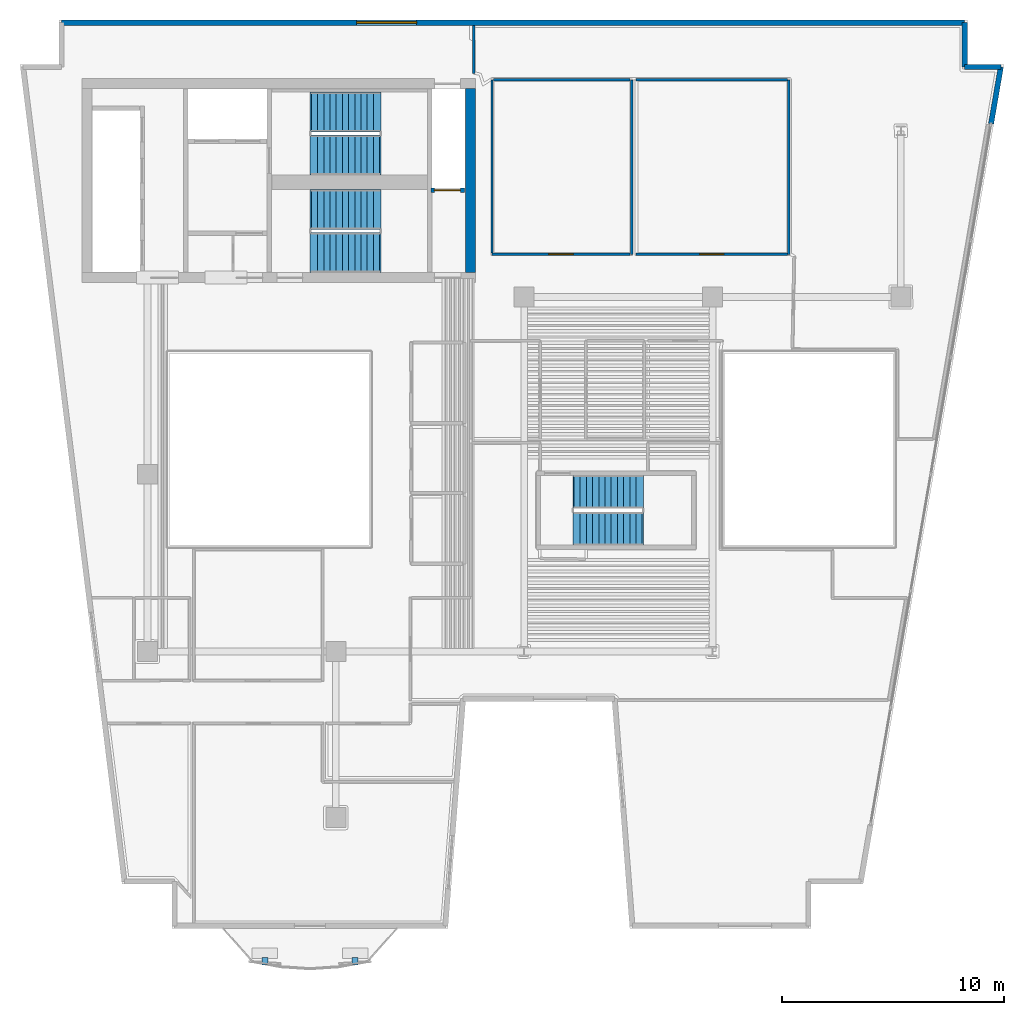
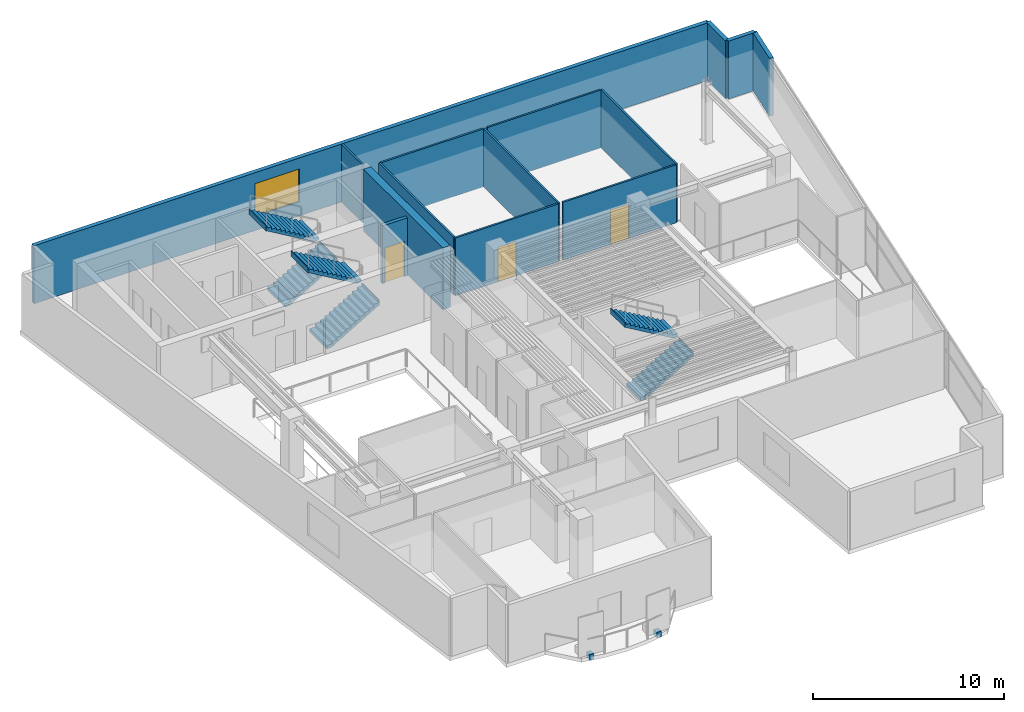
# One storey, part 6 of 9: 14 walls, 6 stair flights, 3 doors, 2 discrete accessories, 1 window, 4 openings, 3 elements without a shape of their own.
"""IFC4 building model written with IfcOpenShell, lengths in metres."""

from ifc_helpers import new_model, si_unit, direction, frame, frame_2d, origin, origin_2d, place, context, subcontext, project, spatial, polyline, rectangle, outline, extrude, material, layer, layer_set, type_object, element, fill, aggregate, save


model = new_model("IFC4")

# Units and contexts
model_context = context("Model", 3, precision=1e-05, world=origin(), true_north=direction((0.0, 1.0)))
body_context = subcontext(model_context, "Body", "Model", "MODEL_VIEW")
ifc_project = project(units=[si_unit("LENGTHUNIT", "METRE"), si_unit("AREAUNIT", "SQUARE_METRE"), si_unit("VOLUMEUNIT", "CUBIC_METRE"), si_unit("PLANEANGLEUNIT", "RADIAN"), si_unit("MASSUNIT", "GRAM", prefix="KILO")], contexts=[model_context])

# Site, building, storey
site_placement = place(None, origin())
site = spatial("IfcSite", under=ifc_project, at=site_placement, CompositionType="ELEMENT")
building_placement = place(site_placement, origin())
building = spatial("IfcBuilding", under=site, at=building_placement, Name="Caeloran Harvest Quay", CompositionType="ELEMENT")
storey_placement = place(building_placement, frame((0.0, 0.0, 227.199951171875)))
storey = spatial("IfcBuildingStorey", under=building, at=storey_placement, Name="L54", CompositionType="ELEMENT", Elevation=227.199951171875)

# Wall, opening, window
ifc_material_1 = material(Name="Precast concrete C50/60", Category="concrete")
ifc_layer_1 = layer(ifc_material_1, 0.239990234375, Name="Precast concrete C50/60")
ifc_layer_set_1 = layer_set([ifc_layer_1], Name="Precast concrete C50/60")
wall_type_1 = type_object("IfcWallType", Name="ENV-WALL-EW-240", PredefinedType="STANDARD", material=ifc_layer_set_1)
wall_1_placement = place(storey_placement, frame((4.6201171875, 43.3798828125, 0.0), z_axis=(0.0, 0.0, 1.0), x_axis=(1.0, 0.0, 0.0)))
wall_1 = element("IfcWall", 1, at=wall_1_placement, inside=storey, type_object=wall_type_1, Name="L54 Exterior Precast Concrete Facade Wall 6", PredefinedType="STANDARD", context=body_context, shape_type="SweptSolid", body=[
    extrude(rectangle(XDim=40.759765625, YDim=0.239990234375, at=frame_2d((20.3798828125, 0.0))), origin(), (0.0, 0.0, 1.0), 3.699951171875),
])
opening_1_placement = place(wall_1_placement, frame((13.323974609375, 0.0, 0.89990234375)))
opening_1 = element("IfcOpeningElement", 2, at=opening_1_placement, cuts=wall_1, Name="Opening W-07", PredefinedType="OPENING", context=body_context, shape_type="SweptSolid", body=[
    extrude(rectangle(XDim=2.699951171875, YDim=2.10009765625, at=frame_2d((1.35009765625, 1.050048828125))), frame((0.0, 0.1298828125, 0.0), z_axis=(0.0, -1.0, 0.0), x_axis=(1.0, 0.0, 0.0)), (0.0, 0.0, 1.0), 0.260009765625),
])
ifc_material_2 = material(Name="Aluminium-Framed Low-E Laminated Glass", Category="aluminium")
window_type = type_object("IfcWindowType", Name="WIN-W-07", PartitioningType="DOUBLE_PANEL_VERTICAL", PredefinedType="WINDOW", material=ifc_material_2)
window_placement = place(opening_1_placement, origin())
window = element("IfcWindow", 3, at=window_placement, inside=storey, type_object=window_type, Name="L54 Facade Punched Window W-07", OverallHeight=2.10009765625, OverallWidth=2.699951171875, PartitioningType="DOUBLE_PANEL_VERTICAL", PredefinedType="WINDOW", context=body_context, shape_type="SweptSolid", body=[
    extrude(rectangle(XDim=2.699951171875, YDim=2.10009765625, at=frame_2d((1.35009765625, 1.050048828125))), frame((0.0, 0.030029296875, 0.0), z_axis=(0.0, -1.0, 0.0), x_axis=(1.0, 0.0, 0.0)), (0.0, 0.0, 1.0), 0.06005859375),
])
fill(opening_1, window)

# Walls
wall_2_placement = place(storey_placement, frame((45.3798828125, 43.3798828125, 0.0), z_axis=(0.0, 0.0, 1.0), x_axis=(0.0, -1.0, 0.0)))
element("IfcWall", 4, at=wall_2_placement, inside=storey, type_object=wall_type_1, Name="L54 Exterior Precast Concrete Facade Wall 7", PredefinedType="STANDARD", context=body_context, shape_type="SweptSolid", body=[
    extrude(rectangle(XDim=2.0, YDim=0.239990234375, at=frame_2d((1.0, 0.0))), origin(), (0.0, 0.0, 1.0), 3.699951171875),
])
wall_3_placement = place(storey_placement, frame((45.3798828125, 41.3798828125, 0.0), z_axis=(0.0, 0.0, 1.0), x_axis=(1.0, 0.0, 0.0)))
element("IfcWall", 5, at=wall_3_placement, inside=storey, type_object=wall_type_1, Name="L54 Exterior Precast Concrete Facade Wall 8", PredefinedType="STANDARD", context=body_context, shape_type="SweptSolid", body=[
    extrude(rectangle(XDim=1.634033203125, YDim=0.239990234375, at=frame_2d((0.81689453125, 0.0))), origin(), (0.0, 0.0, 1.0), 3.699951171875),
])
wall_4_placement = place(storey_placement, frame((47.013916015625, 41.3798828125, 0.0), z_axis=(0.0, 0.0, 1.0), x_axis=(-0.169406892601, -0.985546196147, 0.0)))
element("IfcWall", 6, at=wall_4_placement, inside=storey, type_object=wall_type_1, Name="L54 Exterior Facade Corner Pier Wall 9A", PredefinedType="STANDARD", context=body_context, shape_type="SweptSolid", body=[
    extrude(rectangle(XDim=2.599853515625, YDim=0.239990234375, at=frame_2d((1.2998046875, 0.0))), origin(), (0.0, 0.0, 1.0), 3.699951171875),
])
ifc_material_3 = material(Name="Single-Stud Acoustic Gypsum Office Partition", Category="gypsum")
ifc_layer_2 = layer(ifc_material_3, 0.112060546875, Name="Single-Stud Acoustic Gypsum Office Partition")
ifc_layer_set_2 = layer_set([ifc_layer_2], Name="Single-Stud Acoustic Gypsum Office Partition")
wall_type_2 = type_object("IfcWallType", Name="INT-WALL-PW-112", PredefinedType="PARTITIONING", material=ifc_layer_set_2)
wall_5_placement = place(storey_placement, frame((30.35009765625, 40.800048828125, 0.0), z_axis=(0.0, 0.0, 1.0), x_axis=(0.0, -1.0, 0.0)))
element("IfcWall", 7, at=wall_5_placement, inside=storey, type_object=wall_type_2, Name="L54 Bioinformatics and Crop Phenotyping Laboratory Partition Wall", PredefinedType="PARTITIONING", context=body_context, shape_type="SweptSolid", body=[
    extrude(rectangle(XDim=7.880126953125, YDim=0.112060546875, at=frame_2d((3.93994140625, 0.0))), origin(), (0.0, 0.0, 1.0), 3.699951171875),
])

# Wall, opening, door
wall_6_placement = place(storey_placement, frame((30.2890625, 32.919921875, 0.0), z_axis=(0.0, 0.0, 1.0), x_axis=(-1.0, 0.0, 0.0)))
wall_6 = element("IfcWall", 8, at=wall_6_placement, inside=storey, type_object=wall_type_2, Name="L54 Bioinformatics and Crop Phenotyping Laboratory Partition Wall", PredefinedType="PARTITIONING", context=body_context, shape_type="SweptSolid", body=[
    extrude(rectangle(XDim=6.239013671875, YDim=0.112060546875, at=frame_2d((3.11962890625, 0.0))), origin(), (0.0, 0.0, 1.0), 3.699951171875),
])
opening_2_placement = place(wall_6_placement, frame((2.569580078125, 0.0, 0.0)))
opening_2 = element("IfcOpeningElement", 9, at=opening_2_placement, cuts=wall_6, Name="Opening ID-04", PredefinedType="OPENING", context=body_context, shape_type="SweptSolid", body=[
    extrude(rectangle(XDim=1.10009765625, YDim=2.199951171875, at=frame_2d((0.550048828125, 1.10009765625))), frame((0.0, 0.06591796875, 0.0), z_axis=(0.0, -1.0, 0.0), x_axis=(1.0, 0.0, 0.0)), (0.0, 0.0, 1.0), 0.132080078125),
])
ifc_material_4 = material(Name="Acoustic Walnut Veneer Executive Door", Category="wood")
door_type_1 = type_object("IfcDoorType", Name="INTDOOR-ID-04", OperationType="NOTDEFINED", PredefinedType="DOOR", material=ifc_material_4)
door_1_placement = place(opening_2_placement, origin())
door_1 = element("IfcDoor", 10, at=door_1_placement, inside=storey, type_object=door_type_1, Name="L54 Bioinformatics and Crop Phenotyping Laboratory Access Door", OperationType="SINGLE_SWING_LEFT", OverallHeight=2.199951171875, OverallWidth=1.10009765625, PredefinedType="DOOR", context=body_context, shape_type="SweptSolid", body=[
    extrude(rectangle(XDim=1.10009765625, YDim=2.199951171875, at=frame_2d((0.550048828125, 1.10009765625))), frame((0.0, 0.02490234375, 0.0), z_axis=(0.0, -1.0, 0.0), x_axis=(1.0, 0.0, 0.0)), (0.0, 0.0, 1.0), 0.050048828125),
])
fill(opening_2, door_1)

# Walls
wall_7_placement = place(storey_placement, frame((24.050048828125, 32.98095703125, 0.0), z_axis=(0.0, 0.0, 1.0), x_axis=(0.0, 1.0, 0.0)))
element("IfcWall", 11, at=wall_7_placement, inside=storey, type_object=wall_type_2, Name="L54 Bioinformatics and Crop Phenotyping Laboratory Partition Wall", PredefinedType="PARTITIONING", context=body_context, shape_type="SweptSolid", body=[
    extrude(rectangle(XDim=7.819091796875, YDim=0.112060546875, at=frame_2d((3.90966796875, 0.0))), origin(), (0.0, 0.0, 1.0), 3.699951171875),
])
wall_8_placement = place(storey_placement, frame((24.111083984375, 40.800048828125, 0.0), z_axis=(0.0, 0.0, 1.0), x_axis=(1.0, 0.0, 0.0)))
element("IfcWall", 12, at=wall_8_placement, inside=storey, type_object=wall_type_2, Name="L54 Bioinformatics and Crop Phenotyping Laboratory Partition Wall", PredefinedType="PARTITIONING", context=body_context, shape_type="SweptSolid", body=[
    extrude(rectangle(XDim=6.177978515625, YDim=0.112060546875, at=frame_2d((3.0888671875, 0.0))), origin(), (0.0, 0.0, 1.0), 3.699951171875),
])
wall_9_placement = place(storey_placement, frame((37.449951171875, 40.800048828125, 0.0), z_axis=(0.0, 0.0, 1.0), x_axis=(0.0, -1.0, 0.0)))
element("IfcWall", 13, at=wall_9_placement, inside=storey, type_object=wall_type_2, Name="L54 Agri-Genomics Executive Strategy Boardroom Partition Wall", PredefinedType="PARTITIONING", context=body_context, shape_type="SweptSolid", body=[
    extrude(rectangle(XDim=7.880126953125, YDim=0.112060546875, at=frame_2d((3.93994140625, 0.0))), origin(), (0.0, 0.0, 1.0), 3.699951171875),
])

# Wall, opening, door
wall_10_placement = place(storey_placement, frame((37.388916015625, 32.919921875, 0.0), z_axis=(0.0, 0.0, 1.0), x_axis=(-1.0, 0.0, 0.0)))
wall_10 = element("IfcWall", 14, at=wall_10_placement, inside=storey, type_object=wall_type_2, Name="L54 Agri-Genomics Executive Strategy Boardroom Partition Wall", PredefinedType="PARTITIONING", context=body_context, shape_type="SweptSolid", body=[
    extrude(rectangle(XDim=6.8388671875, YDim=0.112060546875, at=frame_2d((3.41943359375, 0.0))), origin(), (0.0, 0.0, 1.0), 3.699951171875),
])
opening_3_placement = place(wall_10_placement, frame((2.869384765625, 0.0, 0.0)))
opening_3 = element("IfcOpeningElement", 15, at=opening_3_placement, cuts=wall_10, Name="Opening ID-04", PredefinedType="OPENING", context=body_context, shape_type="SweptSolid", body=[
    extrude(rectangle(XDim=1.10009765625, YDim=2.199951171875, at=frame_2d((0.550048828125, 1.10009765625))), frame((0.0, 0.06591796875, 0.0), z_axis=(0.0, -1.0, 0.0), x_axis=(1.0, 0.0, 0.0)), (0.0, 0.0, 1.0), 0.132080078125),
])
door_2_placement = place(opening_3_placement, origin())
door_2 = element("IfcDoor", 16, at=door_2_placement, inside=storey, type_object=door_type_1, Name="L54 Agri-Genomics Executive Strategy Boardroom Access Door", OperationType="SINGLE_SWING_RIGHT", OverallHeight=2.199951171875, OverallWidth=1.10009765625, PredefinedType="DOOR", context=body_context, shape_type="SweptSolid", body=[
    extrude(rectangle(XDim=1.10009765625, YDim=2.199951171875, at=frame_2d((0.550048828125, 1.10009765625))), frame((0.0, 0.02490234375, 0.0), z_axis=(0.0, -1.0, 0.0), x_axis=(1.0, 0.0, 0.0)), (0.0, 0.0, 1.0), 0.050048828125),
])
fill(opening_3, door_2)

# Walls
wall_11_placement = place(storey_placement, frame((30.550048828125, 40.800048828125, 0.0), z_axis=(0.0, 0.0, 1.0), x_axis=(1.0, 0.0, 0.0)))
element("IfcWall", 17, at=wall_11_placement, inside=storey, type_object=wall_type_2, Name="L54 Agri-Genomics Executive Strategy Boardroom Partition Wall", PredefinedType="PARTITIONING", context=body_context, shape_type="SweptSolid", body=[
    extrude(rectangle(XDim=6.8388671875, YDim=0.112060546875, at=frame_2d((3.41943359375, 0.0))), origin(), (0.0, 0.0, 1.0), 3.699951171875),
])
wall_12_placement = place(storey_placement, frame((23.22998046875, 41.093017578125, 0.0), z_axis=(0.0, 0.0, 1.0), x_axis=(0.0, 1.0, 0.0)))
element("IfcWall", 18, at=wall_12_placement, inside=storey, type_object=wall_type_2, Name="Portfolio Catering Kitchen 10 Partition Wall", PredefinedType="PARTITIONING", context=body_context, shape_type="SweptSolid", body=[
    extrude(rectangle(XDim=2.161865234375, YDim=0.112060546875, at=frame_2d((1.0810546875, 0.0))), origin(), (0.0, 0.0, 1.0), 3.699951171875),
])

# Wall, opening, door
ifc_material_5 = material(Name="Concrete C50/60", Category="concrete")
ifc_layer_3 = layer(ifc_material_5, 0.199951171875, Name="Concrete C50/60")
ifc_layer_set_3 = layer_set([ifc_layer_3], Name="Concrete C50/60")
wall_type_3 = type_object("IfcWallType", Name="INT-WALL-SW-200", PredefinedType="PARTITIONING", material=ifc_layer_set_3)
wall_13_placement = place(storey_placement, frame((21.300048828125, 35.820068359375, 0.0), z_axis=(0.0, 0.0, 1.0), x_axis=(1.0, 0.0, 0.0)))
wall_13 = element("IfcWall", 19, at=wall_13_placement, inside=storey, type_object=wall_type_3, Name="L54 Service Lift SV-2 Shaft Wall", PredefinedType="PARTITIONING", context=body_context, shape_type="SweptSolid", body=[
    extrude(rectangle(XDim=1.5, YDim=0.199951171875, at=frame_2d((0.75, 0.0))), origin(), (0.0, 0.0, 1.0), 3.699951171875),
])
opening_4_placement = place(wall_13_placement, frame((0.14501953125, 0.0, 0.0)))
opening_4 = element("IfcOpeningElement", 20, at=opening_4_placement, cuts=wall_13, Name="Opening LD-02", PredefinedType="OPENING", context=body_context, shape_type="SweptSolid", body=[
    extrude(rectangle(XDim=1.179931640625, YDim=2.25, at=frame_2d((0.58984375, 1.125))), frame((0.0, 0.10986328125, 0.0), z_axis=(0.0, -1.0, 0.0), x_axis=(1.0, 0.0, 0.0)), (0.0, 0.0, 1.0), 0.219970703125),
])
ifc_material_6 = material(Name="Stainless Steel Grade 316", Category="steel")
door_type_2 = type_object("IfcDoorType", Name="INTDOOR-LD-02", OperationType="NOTDEFINED", PredefinedType="DOOR", material=ifc_material_6)
door_3_placement = place(opening_4_placement, origin())
door_3 = element("IfcDoor", 21, at=door_3_placement, inside=storey, type_object=door_type_2, Name="Lift SV-2 Sliding Landing Door (L54)", OperationType="DOUBLE_DOOR_SLIDING", OverallHeight=2.25, OverallWidth=1.179931640625, PredefinedType="DOOR", context=body_context, shape_type="SweptSolid", body=[
    extrude(rectangle(XDim=1.179931640625, YDim=2.25, at=frame_2d((0.58984375, 1.125))), frame((0.0, 0.02490234375, 0.0), z_axis=(0.0, -1.0, 0.0), x_axis=(1.0, 0.0, 0.0)), (0.0, 0.0, 1.0), 0.050048828125),
])
fill(opening_4, door_3)

# Wall
ifc_material_7 = material(Name="Concrete C60/75", Category="concrete")
ifc_layer_4 = layer(ifc_material_7, 0.449951171875, Name="Concrete C60/75")
ifc_layer_set_4 = layer_set([ifc_layer_4], Name="Concrete C60/75")
wall_type_4 = type_object("IfcWallType", Name="STR-WALL-CW-450", PredefinedType="SHEAR", material=ifc_layer_set_4)
wall_14_placement = place(storey_placement, frame((23.074951171875, 32.10009765625, 0.0), z_axis=(0.0, 0.0, 1.0), x_axis=(0.0, 1.0, 0.0)))
element("IfcWall", 22, at=wall_14_placement, inside=storey, type_object=wall_type_4, Name="L54 Rear Core Shear Wall E", PredefinedType="SHEAR", context=body_context, shape_type="SweptSolid", body=[
    extrude(rectangle(XDim=8.2998046875, YDim=0.449951171875, at=frame_2d((4.14990234375, 0.0))), origin(), (0.0, 0.0, 1.0), 3.949951171875),
])

# Stair, stair flights
stair_type_1 = type_object("IfcStairType", Name="STAIR-STC-180", PredefinedType="HALF_TURN_STAIR", material=ifc_material_5)
stair_1_placement = place(storey_placement, origin())
stair_1 = element("IfcStair", 23, at=stair_1_placement, inside=storey, type_object=stair_type_1, Name="L54 Core Pressurized Exit Stair ST-C1", PredefinedType="HALF_TURN_STAIR")
stair_flight_type_1 = type_object("IfcStairFlightType", Name="FLIGHT-STC-180", PredefinedType="STRAIGHT", material=ifc_material_5)
stair_flight_1_placement = place(storey_placement, frame((15.89990234375, 37.39990234375, 0.0), z_axis=(0.0, 0.0, 1.0), x_axis=(1.0, 0.0, 0.0)))
stair_flight_1 = element("IfcStairFlight", 24, at=stair_flight_1_placement, type_object=stair_flight_type_1, Name="ST-C1 flight 1", NumberOfRisers=12, NumberOfTreads=11, PredefinedType="STRAIGHT", RiserHeight=0.164583333, TreadLength=0.28, context=body_context, shape_type="SweptSolid", body=[
    extrude(outline(polyline([(-0.054931640625, -0.044921875), (-0.054931640625, -0.031982421875), (-0.054931640625, -0.018798828125), (-0.054931640625, -0.005615234375), (-0.054931640625, 0.00732421875), (-0.054931640625, 0.0205078125), (-0.054931640625, 0.03369140625), (-0.054931640625, 0.046630859375), (-0.054931640625, 0.059814453125), (-0.054931640625, 0.072998046875), (-0.054931640625, 0.0859375), (-0.054931640625, 0.09912109375), (-0.054931640625, 0.1123046875), (-0.054931640625, 0.125244140625), (-0.054931640625, 0.138427734375), (-0.054931640625, 0.1513671875), (-0.054931640625, 0.16455078125), (0.280029296875, 0.16455078125), (0.280029296875, 0.3291015625), (0.56005859375, 0.3291015625), (0.56005859375, 0.49365234375), (0.840087890625, 0.49365234375), (0.840087890625, 0.658447265625), (1.1201171875, 0.658447265625), (1.1201171875, 0.822998046875), (1.39990234375, 0.822998046875), (1.39990234375, 0.987548828125), (1.679931640625, 0.987548828125), (1.679931640625, 1.152099609375), (1.9599609375, 1.152099609375), (1.9599609375, 1.316650390625), (2.239990234375, 1.316650390625), (2.239990234375, 1.481201171875), (2.52001953125, 1.481201171875), (2.52001953125, 1.645751953125), (2.800048828125, 1.645751953125), (2.800048828125, 1.810302734375), (3.080078125, 1.810302734375), (3.080078125, 1.97509765625), (3.135009765625, 1.97509765625), (3.135009765625, 1.953857421875), (3.135009765625, 1.9326171875), (3.135009765625, 1.91162109375), (3.135009765625, 1.890380859375), (3.135009765625, 1.869140625), (3.135009765625, 1.84814453125), (3.135009765625, 1.826904296875), (3.135009765625, 1.8056640625), (3.135009765625, 1.78466796875), (3.135009765625, 1.763427734375), (3.135009765625, 1.7421875), (3.135009765625, 1.72119140625), (3.135009765625, 1.699951171875), (3.135009765625, 1.678955078125), (3.135009765625, 1.65771484375), (3.135009765625, 1.636474609375), (3.080078125, 1.636474609375), (0.21923828125, -0.044921875), (-0.054931640625, -0.044921875)])), frame((0.0, 0.89990234375, 0.0), z_axis=(0.0, -1.0, 0.0), x_axis=(1.0, 0.0, 0.0)), (0.0, 0.0, 1.0), 1.800048828125),
])
stair_flight_2_placement = place(storey_placement, frame((18.97998046875, 39.35009765625, 1.97509765625), z_axis=(0.0, 0.0, 1.0), x_axis=(-1.0, 0.0, 0.0)))
stair_flight_2 = element("IfcStairFlight", 25, at=stair_flight_2_placement, type_object=stair_flight_type_1, Name="ST-C1 flight 2", NumberOfRisers=12, NumberOfTreads=11, PredefinedType="STRAIGHT", RiserHeight=0.164583333, TreadLength=0.28, context=body_context, shape_type="SweptSolid", body=[
    extrude(outline(polyline([(-0.054931640625, -0.044921875), (-0.054931640625, -0.031982421875), (-0.054931640625, -0.018798828125), (-0.054931640625, -0.005615234375), (-0.054931640625, 0.00732421875), (-0.054931640625, 0.0205078125), (-0.054931640625, 0.03369140625), (-0.054931640625, 0.046630859375), (-0.054931640625, 0.059814453125), (-0.054931640625, 0.072998046875), (-0.054931640625, 0.0859375), (-0.054931640625, 0.09912109375), (-0.054931640625, 0.1123046875), (-0.054931640625, 0.125244140625), (-0.054931640625, 0.138427734375), (-0.054931640625, 0.1513671875), (-0.054931640625, 0.16455078125), (0.280029296875, 0.16455078125), (0.280029296875, 0.3291015625), (0.56005859375, 0.3291015625), (0.56005859375, 0.49365234375), (0.840087890625, 0.49365234375), (0.840087890625, 0.658447265625), (1.1201171875, 0.658447265625), (1.1201171875, 0.822998046875), (1.39990234375, 0.822998046875), (1.39990234375, 0.987548828125), (1.679931640625, 0.987548828125), (1.679931640625, 1.152099609375), (1.9599609375, 1.152099609375), (1.9599609375, 1.316650390625), (2.239990234375, 1.316650390625), (2.239990234375, 1.481201171875), (2.52001953125, 1.481201171875), (2.52001953125, 1.645751953125), (2.800048828125, 1.645751953125), (2.800048828125, 1.810302734375), (3.080078125, 1.810302734375), (3.080078125, 1.97509765625), (3.135009765625, 1.97509765625), (3.135009765625, 1.953857421875), (3.135009765625, 1.9326171875), (3.135009765625, 1.91162109375), (3.135009765625, 1.890380859375), (3.135009765625, 1.869140625), (3.135009765625, 1.84814453125), (3.135009765625, 1.826904296875), (3.135009765625, 1.8056640625), (3.135009765625, 1.78466796875), (3.135009765625, 1.763427734375), (3.135009765625, 1.7421875), (3.135009765625, 1.72119140625), (3.135009765625, 1.699951171875), (3.135009765625, 1.678955078125), (3.135009765625, 1.65771484375), (3.135009765625, 1.636474609375), (3.080078125, 1.636474609375), (0.21923828125, -0.044921875), (-0.054931640625, -0.044921875)])), frame((0.0, 0.89990234375, 0.0), z_axis=(0.0, -1.0, 0.0), x_axis=(1.0, 0.0, 0.0)), (0.0, 0.0, 1.0), 1.800048828125),
])
aggregate(stair_1, [stair_flight_1, stair_flight_2])

stair_2_placement = place(storey_placement, origin())
stair_2 = element("IfcStair", 26, at=stair_2_placement, inside=storey, type_object=stair_type_1, Name="L54 Core Pressurized Exit Stair ST-C2", PredefinedType="HALF_TURN_STAIR")
stair_flight_3_placement = place(storey_placement, frame((15.89990234375, 33.0, 0.0), z_axis=(0.0, 0.0, 1.0), x_axis=(1.0, 0.0, 0.0)))
stair_flight_3 = element("IfcStairFlight", 27, at=stair_flight_3_placement, type_object=stair_flight_type_1, Name="ST-C2 flight 1", NumberOfRisers=12, NumberOfTreads=11, PredefinedType="STRAIGHT", RiserHeight=0.164583333, TreadLength=0.28, context=body_context, shape_type="SweptSolid", body=[
    extrude(outline(polyline([(-0.054931640625, -0.044921875), (-0.054931640625, -0.031982421875), (-0.054931640625, -0.018798828125), (-0.054931640625, -0.005615234375), (-0.054931640625, 0.00732421875), (-0.054931640625, 0.0205078125), (-0.054931640625, 0.03369140625), (-0.054931640625, 0.046630859375), (-0.054931640625, 0.059814453125), (-0.054931640625, 0.072998046875), (-0.054931640625, 0.0859375), (-0.054931640625, 0.09912109375), (-0.054931640625, 0.1123046875), (-0.054931640625, 0.125244140625), (-0.054931640625, 0.138427734375), (-0.054931640625, 0.1513671875), (-0.054931640625, 0.16455078125), (0.280029296875, 0.16455078125), (0.280029296875, 0.3291015625), (0.56005859375, 0.3291015625), (0.56005859375, 0.49365234375), (0.840087890625, 0.49365234375), (0.840087890625, 0.658447265625), (1.1201171875, 0.658447265625), (1.1201171875, 0.822998046875), (1.39990234375, 0.822998046875), (1.39990234375, 0.987548828125), (1.679931640625, 0.987548828125), (1.679931640625, 1.152099609375), (1.9599609375, 1.152099609375), (1.9599609375, 1.316650390625), (2.239990234375, 1.316650390625), (2.239990234375, 1.481201171875), (2.52001953125, 1.481201171875), (2.52001953125, 1.645751953125), (2.800048828125, 1.645751953125), (2.800048828125, 1.810302734375), (3.080078125, 1.810302734375), (3.080078125, 1.97509765625), (3.135009765625, 1.97509765625), (3.135009765625, 1.953857421875), (3.135009765625, 1.9326171875), (3.135009765625, 1.91162109375), (3.135009765625, 1.890380859375), (3.135009765625, 1.869140625), (3.135009765625, 1.84814453125), (3.135009765625, 1.826904296875), (3.135009765625, 1.8056640625), (3.135009765625, 1.78466796875), (3.135009765625, 1.763427734375), (3.135009765625, 1.7421875), (3.135009765625, 1.72119140625), (3.135009765625, 1.699951171875), (3.135009765625, 1.678955078125), (3.135009765625, 1.65771484375), (3.135009765625, 1.636474609375), (3.080078125, 1.636474609375), (0.21923828125, -0.044921875), (-0.054931640625, -0.044921875)])), frame((0.0, 0.89990234375, 0.0), z_axis=(0.0, -1.0, 0.0), x_axis=(1.0, 0.0, 0.0)), (0.0, 0.0, 1.0), 1.800048828125),
])
stair_flight_4_placement = place(storey_placement, frame((18.97998046875, 34.949951171875, 1.97509765625), z_axis=(0.0, 0.0, 1.0), x_axis=(-1.0, 0.0, 0.0)))
stair_flight_4 = element("IfcStairFlight", 28, at=stair_flight_4_placement, type_object=stair_flight_type_1, Name="ST-C2 flight 2", NumberOfRisers=12, NumberOfTreads=11, PredefinedType="STRAIGHT", RiserHeight=0.164583333, TreadLength=0.28, context=body_context, shape_type="SweptSolid", body=[
    extrude(outline(polyline([(-0.054931640625, -0.044921875), (-0.054931640625, -0.031982421875), (-0.054931640625, -0.018798828125), (-0.054931640625, -0.005615234375), (-0.054931640625, 0.00732421875), (-0.054931640625, 0.0205078125), (-0.054931640625, 0.03369140625), (-0.054931640625, 0.046630859375), (-0.054931640625, 0.059814453125), (-0.054931640625, 0.072998046875), (-0.054931640625, 0.0859375), (-0.054931640625, 0.09912109375), (-0.054931640625, 0.1123046875), (-0.054931640625, 0.125244140625), (-0.054931640625, 0.138427734375), (-0.054931640625, 0.1513671875), (-0.054931640625, 0.16455078125), (0.280029296875, 0.16455078125), (0.280029296875, 0.3291015625), (0.56005859375, 0.3291015625), (0.56005859375, 0.49365234375), (0.840087890625, 0.49365234375), (0.840087890625, 0.658447265625), (1.1201171875, 0.658447265625), (1.1201171875, 0.822998046875), (1.39990234375, 0.822998046875), (1.39990234375, 0.987548828125), (1.679931640625, 0.987548828125), (1.679931640625, 1.152099609375), (1.9599609375, 1.152099609375), (1.9599609375, 1.316650390625), (2.239990234375, 1.316650390625), (2.239990234375, 1.481201171875), (2.52001953125, 1.481201171875), (2.52001953125, 1.645751953125), (2.800048828125, 1.645751953125), (2.800048828125, 1.810302734375), (3.080078125, 1.810302734375), (3.080078125, 1.97509765625), (3.135009765625, 1.97509765625), (3.135009765625, 1.953857421875), (3.135009765625, 1.9326171875), (3.135009765625, 1.91162109375), (3.135009765625, 1.890380859375), (3.135009765625, 1.869140625), (3.135009765625, 1.84814453125), (3.135009765625, 1.826904296875), (3.135009765625, 1.8056640625), (3.135009765625, 1.78466796875), (3.135009765625, 1.763427734375), (3.135009765625, 1.7421875), (3.135009765625, 1.72119140625), (3.135009765625, 1.699951171875), (3.135009765625, 1.678955078125), (3.135009765625, 1.65771484375), (3.135009765625, 1.636474609375), (3.080078125, 1.636474609375), (0.21923828125, -0.044921875), (-0.054931640625, -0.044921875)])), frame((0.0, 0.89990234375, 0.0), z_axis=(0.0, -1.0, 0.0), x_axis=(1.0, 0.0, 0.0)), (0.0, 0.0, 1.0), 1.800048828125),
])
aggregate(stair_2, [stair_flight_3, stair_flight_4])

stair_type_2 = type_object("IfcStairType", Name="STAIR-STW-150", PredefinedType="HALF_TURN_STAIR", material=ifc_material_5)
stair_3_placement = place(storey_placement, origin())
stair_3 = element("IfcStair", 29, at=stair_3_placement, inside=storey, type_object=stair_type_2, Name="L54 East Wing Protected Exit Stair ST-W1", PredefinedType="HALF_TURN_STAIR")
stair_flight_type_2 = type_object("IfcStairFlightType", Name="FLIGHT-STW-150", PredefinedType="STRAIGHT", material=ifc_material_5)
stair_flight_5_placement = place(storey_placement, frame((27.75, 20.550048828125, 0.0), z_axis=(0.0, 0.0, 1.0), x_axis=(1.0, 0.0, 0.0)))
stair_flight_5 = element("IfcStairFlight", 30, at=stair_flight_5_placement, type_object=stair_flight_type_2, Name="ST-W1 flight 1", NumberOfRisers=12, NumberOfTreads=11, PredefinedType="STRAIGHT", RiserHeight=0.164583333, TreadLength=0.28, context=body_context, shape_type="SweptSolid", body=[
    extrude(outline(polyline([(-0.054931640625, -0.044921875), (-0.054931640625, -0.031982421875), (-0.054931640625, -0.018798828125), (-0.054931640625, -0.005615234375), (-0.054931640625, 0.00732421875), (-0.054931640625, 0.0205078125), (-0.054931640625, 0.03369140625), (-0.054931640625, 0.046630859375), (-0.054931640625, 0.059814453125), (-0.054931640625, 0.072998046875), (-0.054931640625, 0.0859375), (-0.054931640625, 0.09912109375), (-0.054931640625, 0.1123046875), (-0.054931640625, 0.125244140625), (-0.054931640625, 0.138427734375), (-0.054931640625, 0.1513671875), (-0.054931640625, 0.16455078125), (0.280029296875, 0.16455078125), (0.280029296875, 0.3291015625), (0.56005859375, 0.3291015625), (0.56005859375, 0.49365234375), (0.840087890625, 0.49365234375), (0.840087890625, 0.658447265625), (1.1201171875, 0.658447265625), (1.1201171875, 0.822998046875), (1.39990234375, 0.822998046875), (1.39990234375, 0.987548828125), (1.679931640625, 0.987548828125), (1.679931640625, 1.152099609375), (1.9599609375, 1.152099609375), (1.9599609375, 1.316650390625), (2.239990234375, 1.316650390625), (2.239990234375, 1.481201171875), (2.52001953125, 1.481201171875), (2.52001953125, 1.645751953125), (2.800048828125, 1.645751953125), (2.800048828125, 1.810302734375), (3.080078125, 1.810302734375), (3.080078125, 1.97509765625), (3.135009765625, 1.97509765625), (3.135009765625, 1.953857421875), (3.135009765625, 1.9326171875), (3.135009765625, 1.91162109375), (3.135009765625, 1.890380859375), (3.135009765625, 1.869140625), (3.135009765625, 1.84814453125), (3.135009765625, 1.826904296875), (3.135009765625, 1.8056640625), (3.135009765625, 1.78466796875), (3.135009765625, 1.763427734375), (3.135009765625, 1.7421875), (3.135009765625, 1.72119140625), (3.135009765625, 1.699951171875), (3.135009765625, 1.678955078125), (3.135009765625, 1.65771484375), (3.135009765625, 1.636474609375), (3.080078125, 1.636474609375), (0.21923828125, -0.044921875), (-0.054931640625, -0.044921875)])), frame((0.0, 0.75, 0.0), z_axis=(0.0, -1.0, 0.0), x_axis=(1.0, 0.0, 0.0)), (0.0, 0.0, 1.0), 1.5),
])
stair_flight_6_placement = place(storey_placement, frame((30.830078125, 22.199951171875, 1.97509765625), z_axis=(0.0, 0.0, 1.0), x_axis=(-1.0, 0.0, 0.0)))
stair_flight_6 = element("IfcStairFlight", 31, at=stair_flight_6_placement, type_object=stair_flight_type_2, Name="ST-W1 flight 2", NumberOfRisers=12, NumberOfTreads=11, PredefinedType="STRAIGHT", RiserHeight=0.164583333, TreadLength=0.28, context=body_context, shape_type="SweptSolid", body=[
    extrude(outline(polyline([(-0.054931640625, -0.044921875), (-0.054931640625, -0.031982421875), (-0.054931640625, -0.018798828125), (-0.054931640625, -0.005615234375), (-0.054931640625, 0.00732421875), (-0.054931640625, 0.0205078125), (-0.054931640625, 0.03369140625), (-0.054931640625, 0.046630859375), (-0.054931640625, 0.059814453125), (-0.054931640625, 0.072998046875), (-0.054931640625, 0.0859375), (-0.054931640625, 0.09912109375), (-0.054931640625, 0.1123046875), (-0.054931640625, 0.125244140625), (-0.054931640625, 0.138427734375), (-0.054931640625, 0.1513671875), (-0.054931640625, 0.16455078125), (0.280029296875, 0.16455078125), (0.280029296875, 0.3291015625), (0.56005859375, 0.3291015625), (0.56005859375, 0.49365234375), (0.840087890625, 0.49365234375), (0.840087890625, 0.658447265625), (1.1201171875, 0.658447265625), (1.1201171875, 0.822998046875), (1.39990234375, 0.822998046875), (1.39990234375, 0.987548828125), (1.679931640625, 0.987548828125), (1.679931640625, 1.152099609375), (1.9599609375, 1.152099609375), (1.9599609375, 1.316650390625), (2.239990234375, 1.316650390625), (2.239990234375, 1.481201171875), (2.52001953125, 1.481201171875), (2.52001953125, 1.645751953125), (2.800048828125, 1.645751953125), (2.800048828125, 1.810302734375), (3.080078125, 1.810302734375), (3.080078125, 1.97509765625), (3.135009765625, 1.97509765625), (3.135009765625, 1.953857421875), (3.135009765625, 1.9326171875), (3.135009765625, 1.91162109375), (3.135009765625, 1.890380859375), (3.135009765625, 1.869140625), (3.135009765625, 1.84814453125), (3.135009765625, 1.826904296875), (3.135009765625, 1.8056640625), (3.135009765625, 1.78466796875), (3.135009765625, 1.763427734375), (3.135009765625, 1.7421875), (3.135009765625, 1.72119140625), (3.135009765625, 1.699951171875), (3.135009765625, 1.678955078125), (3.135009765625, 1.65771484375), (3.135009765625, 1.636474609375), (3.080078125, 1.636474609375), (0.21923828125, -0.044921875), (-0.054931640625, -0.044921875)])), frame((0.0, 0.75, 0.0), z_axis=(0.0, -1.0, 0.0), x_axis=(1.0, 0.0, 0.0)), (0.0, 0.0, 1.0), 1.5),
])
aggregate(stair_3, [stair_flight_5, stair_flight_6])

# Discrete accessories
ifc_material_8 = material(Name="Stainless Steel Grade 316L", Category="steel")
discrete_accessory_type = type_object("IfcDiscreteAccessoryType", Name="BRACKET-SCREEN-SS", PredefinedType="BRACKET", material=ifc_material_8)
for number, where, z_axis, x_axis, name in (
    (32, (17.868408203125, 1.02001953125, -0.22021484375), (0.0, 0.0, 1.0), (1.0, 0.0, 0.0), "L54 Balcony Screen Support Bracket 1"),
    (33, (13.800537109375, 1.02001953125, -0.22021484375), (0.0, 0.0, 1.0), (1.0, 0.0, 0.0), "L54 Balcony Screen Support Bracket 2"),
):
    element("IfcDiscreteAccessory", number, at=place(storey_placement, frame(where, z_axis=z_axis, x_axis=x_axis)), inside=storey, type_object=discrete_accessory_type, Name=name, PredefinedType="BRACKET", context=body_context, shape_type="SweptSolid", body=[
        extrude(rectangle(XDim=0.260009765625, YDim=0.340087890625, at=origin_2d()), origin(), (0.0, 0.0, 1.0), 0.360107421875),
    ])

save(model, "model.ifc")
